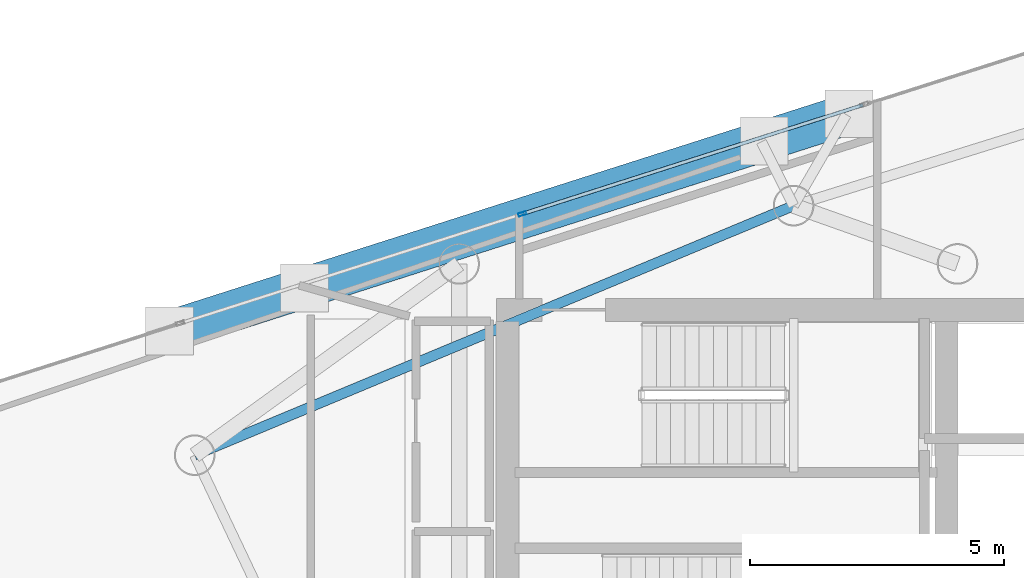
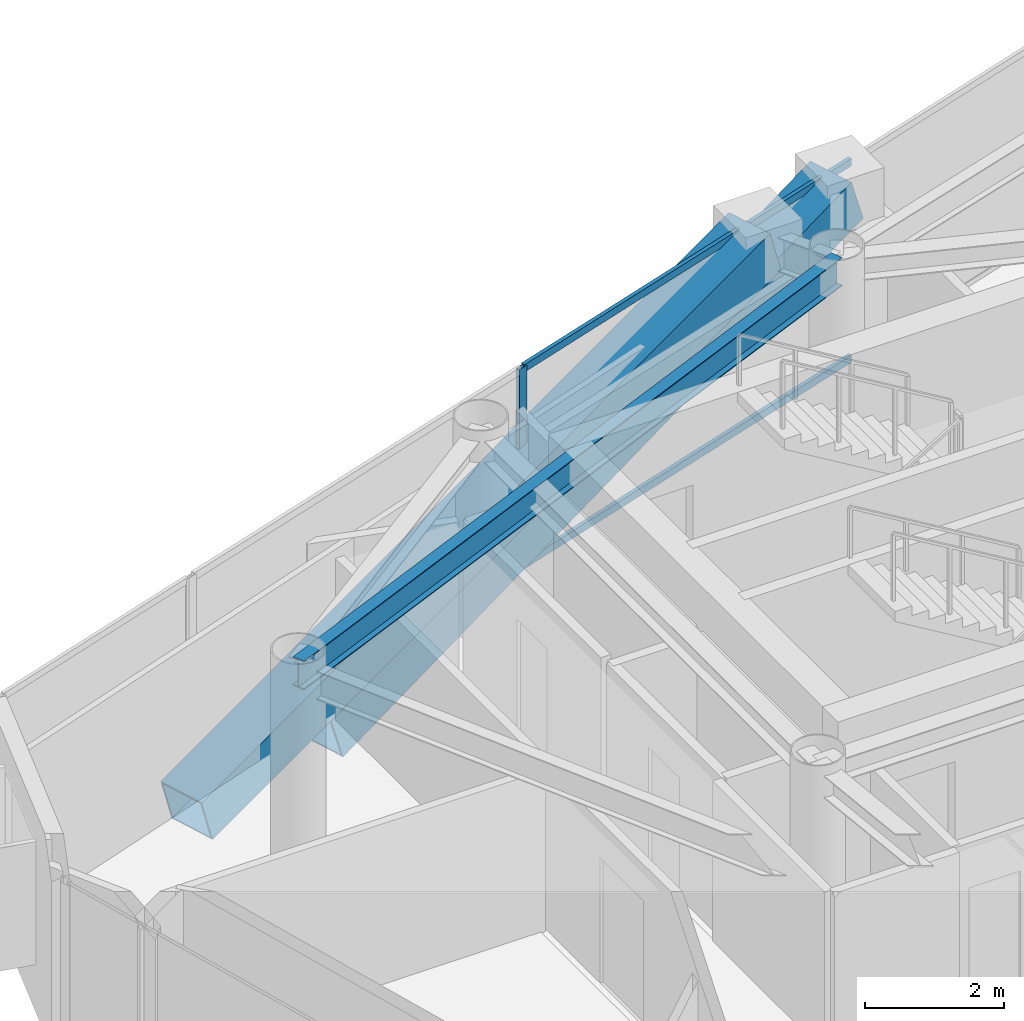
# One storey, part 9 of 19: 5 members, 1 beam, 1 element without a shape of its own.
"""IFC4 building model written with IfcOpenShell, lengths in metres."""

from ifc_helpers import new_model, si_unit, direction, frame, origin, origin_2d, place, context, subcontext, project, spatial, hollow_rectangle, i_section, extrude, material, layer, layer_set, material_profile, profile_set, type_object, element, aggregate, save


model = new_model("IFC4")

# Units and contexts
model_context = context("Model", 3, precision=1e-05, world=origin(), true_north=direction((0.0, 1.0)))
body_context = subcontext(model_context, "Body", "Model", "MODEL_VIEW")
ifc_project = project(units=[si_unit("LENGTHUNIT", "METRE"), si_unit("AREAUNIT", "SQUARE_METRE"), si_unit("VOLUMEUNIT", "CUBIC_METRE"), si_unit("PLANEANGLEUNIT", "RADIAN"), si_unit("MASSUNIT", "GRAM", prefix="KILO")], contexts=[model_context])

# Site, building, storey
site_placement = place(None, origin())
site = spatial("IfcSite", under=ifc_project, at=site_placement, CompositionType="ELEMENT")
building_placement = place(site_placement, origin())
building = spatial("IfcBuilding", under=site, at=building_placement, Name="Qianvela Tower", CompositionType="ELEMENT")
storey_placement = place(building_placement, frame((0.0, 0.0, 329.60009765625)))
storey = spatial("IfcBuildingStorey", under=building, at=storey_placement, Name="L85", CompositionType="ELEMENT", Elevation=329.60009765625)

# Beam
ifc_material_1 = material(Name="Steel Q355B", Category="steel")
ifc_material_profile_1 = material_profile(ifc_material_1, i_section(OverallWidth=0.199951171875, OverallDepth=0.5, WebThickness=0.010009765625, FlangeThickness=0.01611328125, at=origin_2d()), Name="HN500x200x10x16")
ifc_profile_set_1 = profile_set([ifc_material_profile_1], Name="Steel Q355B")
beam_type = type_object("IfcBeamType", Name="BM-HN500-GIRD", PredefinedType="BEAM", material=ifc_profile_set_1)
beam_placement = place(storey_placement, frame((35.177001953125, 34.695068359375, 3.267822265625), z_axis=(-0.923108058734, -0.384540650517, 0.0), x_axis=(0.384540650517, -0.923108058734, 0.0)))
element("IfcBeam", 1, at=beam_placement, inside=storey, type_object=beam_type, Name="L85 Perimeter Ring Spandrel Girder 2", PredefinedType="BEAM", context=body_context, shape_type="SweptSolid", body=[
    extrude(i_section(OverallWidth=0.199951171875, OverallDepth=0.5, WebThickness=0.010009765625, FlangeThickness=0.01611328125, at=origin_2d()), origin(), (0.0, 0.0, 1.0), 12.758056640625),
])

# Curtain wall, members
ifc_material_2 = material(Name="Anodised Architectural Aluminium and Insulated Spandrel Panel", Category="aluminium")
ifc_layer = layer(ifc_material_2, 0.179931640625)
ifc_layer_set = layer_set([ifc_layer], Name="Anodised Architectural Aluminium and Insulated Spandrel Panel")
curtain_wall_type = type_object("IfcCurtainWallType", Name="CW-BRACEBAY", PredefinedType="USERDEFINED", material=ifc_layer_set)
curtain_wall_placement = place(storey_placement, origin())
curtain_wall = element("IfcCurtainWall", 2, at=curtain_wall_placement, inside=storey, type_object=curtain_wall_type, Name="L85 CW-BRACEBAY Curtain Wall 02B", ObjectType="CURTAIN_WALL_SYSTEM", PredefinedType="USERDEFINED")
ifc_material_3 = material(Name="Anodised Architectural Aluminium 6063-T6", Category="aluminium")
ifc_material_profile_2 = material_profile(ifc_material_3, hollow_rectangle(XDim=0.06494140625, YDim=0.159912109375, WallThickness=0.0048828125, at=origin_2d()), Name="ALU-MULL-65x160")
ifc_profile_set_2 = profile_set([ifc_material_profile_2], Name="Anodised Architectural Aluminium 6063-T6")
member_type_1 = type_object("IfcMemberType", Name="CW-BRACEBAY-MULL", PredefinedType="MULLION", material=ifc_profile_set_2)
member_1_placement = place(storey_placement, frame((29.843994140625, 34.533203125, 0.0), z_axis=(0.0, 0.0, 1.0), x_axis=(0.304482674684, -0.952517874277, 0.0)))
member_1 = element("IfcMember", 3, at=member_1_placement, type_object=member_type_1, Name="CW-9 mullion 2", PredefinedType="MULLION", context=body_context, shape_type="SweptSolid", body=[
    extrude(hollow_rectangle(XDim=0.06494140625, YDim=0.159912109375, WallThickness=0.0048828125, at=origin_2d()), origin(), (0.0, 0.0, 1.0), 3.52001953125),
])
ifc_material_4 = material(Name="Anodised Architectural Aluminium 6063-T6", Category="aluminium")
ifc_material_profile_3 = material_profile(ifc_material_4, hollow_rectangle(XDim=0.06494140625, YDim=0.1298828125, WallThickness=0.00439453125, at=origin_2d()), Name="ALU-TRAN-65x130")
ifc_profile_set_3 = profile_set([ifc_material_profile_3], Name="Anodised Architectural Aluminium 6063-T6")
member_type_2 = type_object("IfcMemberType", Name="CW-BRACEBAY-TRAN", PredefinedType="USERDEFINED", material=ifc_profile_set_3)
member_2_placement = place(storey_placement, frame((36.540283203125, 36.673828125, 0.032470703125), z_axis=(-0.952518490559, -0.304480746753, 0.0), x_axis=(0.304480746753, -0.952518490559, 0.0)))
member_2 = element("IfcMember", 4, at=member_2_placement, type_object=member_type_2, Name="CW-9 transom 1.1", ObjectType="TRANSOM", PredefinedType="USERDEFINED", context=body_context, shape_type="SweptSolid", body=[
    extrude(hollow_rectangle(XDim=0.06494140625, YDim=0.1298828125, WallThickness=0.00439453125, at=origin_2d()), origin(), (0.0, 0.0, 1.0), 6.99755859375),
])
member_3_placement = place(storey_placement, frame((36.540283203125, 36.673828125, 3.4873046875), z_axis=(-0.952518490559, -0.304480746753, 0.0), x_axis=(0.304480746753, -0.952518490559, 0.0)))
member_3 = element("IfcMember", 5, at=member_3_placement, type_object=member_type_2, Name="CW-9 transom 1.2", ObjectType="TRANSOM", PredefinedType="USERDEFINED", context=body_context, shape_type="SweptSolid", body=[
    extrude(hollow_rectangle(XDim=0.06494140625, YDim=0.1298828125, WallThickness=0.00439453125, at=origin_2d()), origin(), (0.0, 0.0, 1.0), 6.99755859375),
])
aggregate(curtain_wall, [member_1, member_2, member_3])

# Members
ifc_material_5 = material(Name="Steel Q420GJC", Category="steel")
ifc_material_profile_4 = material_profile(ifc_material_5, hollow_rectangle(XDim=0.800048828125, YDim=0.800048828125, WallThickness=0.028076171875, at=origin_2d()), Name="MBOX-800x800x28")
ifc_profile_set_4 = profile_set([ifc_material_profile_4], Name="Steel Q420GJC")
member_type_3 = type_object("IfcMemberType", Name="MBR-MBRACE-800", PredefinedType="BRACE", material=ifc_profile_set_4)
member_4_placement = place(storey_placement, frame((25.611328125, 33.09619140625, -0.482177734375), z_axis=(0.903882450227, 0.288937669516, 0.315454496411), x_axis=(-0.304484429996, 0.952517313171, 0.0)))
element("IfcMember", 6, at=member_4_placement, inside=storey, type_object=member_type_3, Name="L85 Tier 14 Exterior Mega-Brace F1A", PredefinedType="BRACE", context=body_context, shape_type="SweptSolid", body=[
    extrude(hollow_rectangle(XDim=0.800048828125, YDim=0.800048828125, WallThickness=0.028076171875, at=origin_2d()), origin(), (0.0, 0.0, 1.0), 11.729736328125),
])
member_5_placement = place(storey_placement, frame((22.9619140625, 32.249267578125, -0.482177734375), z_axis=(0.91126091939, 0.291293856423, 0.29112098173), x_axis=(-0.30448211995, 0.952518051603, 0.0)))
element("IfcMember", 7, at=member_5_placement, inside=storey, type_object=member_type_3, Name="L85 Tier 14 Exterior Mega-Brace F1B", PredefinedType="BRACE", context=body_context, shape_type="SweptSolid", body=[
    extrude(hollow_rectangle(XDim=0.800048828125, YDim=0.800048828125, WallThickness=0.028076171875, at=origin_2d()), origin(), (0.0, 0.0, 1.0), 12.710205078125),
])

save(model, "model.ifc")
